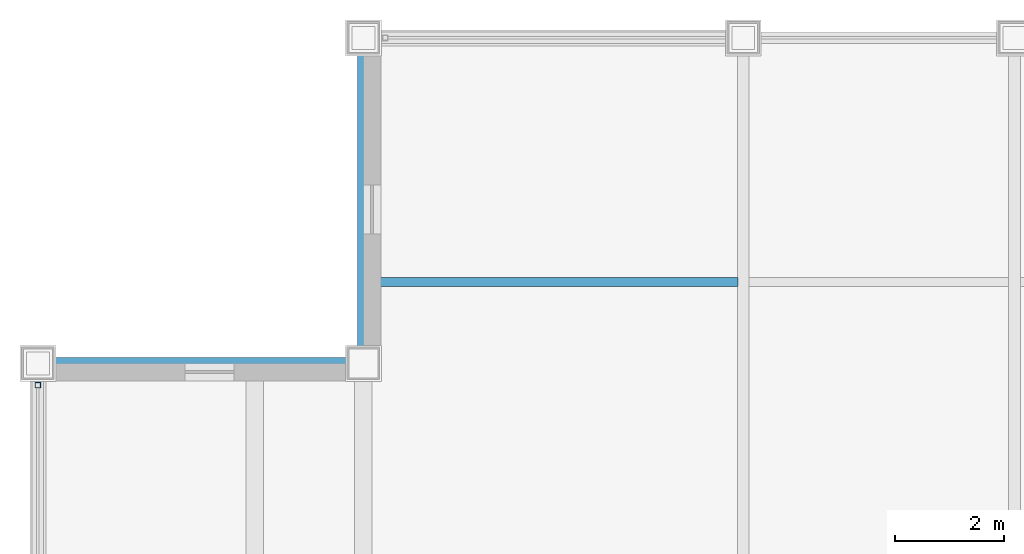
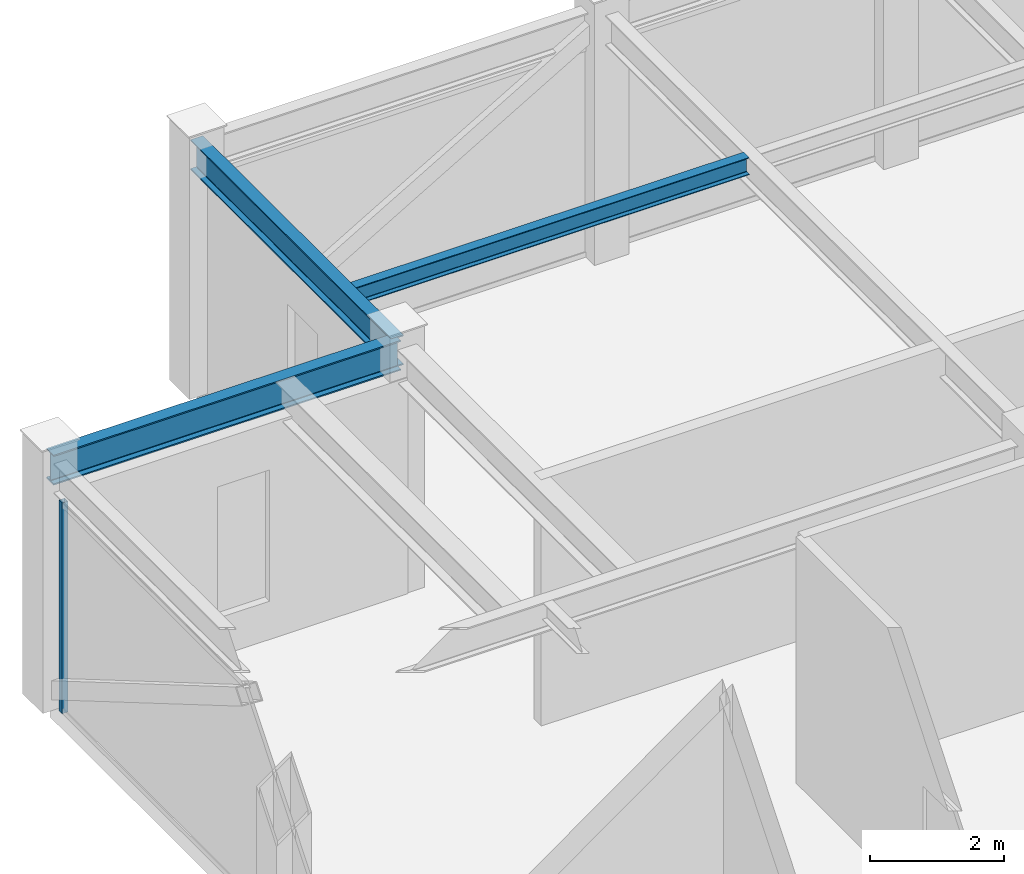
# One storey, part 14 of 27: 3 beams, 1 member, 1 element without a shape of its own.
"""IFC4 building model written with IfcOpenShell, lengths in metres."""

from ifc_helpers import new_model, si_unit, direction, frame, origin, origin_2d, place, context, subcontext, project, spatial, hollow_rectangle, i_section, extrude, source, transform, mapped, material, material_profile, profile_set, type_object, element, aggregate, save


model = new_model("IFC4")

# Units and contexts
model_context = context("Model", 3, precision=1e-05, world=origin(), true_north=direction((0.0, 1.0)))
body_context = subcontext(model_context, "Body", "Model", "MODEL_VIEW")
ifc_project = project(units=[si_unit("LENGTHUNIT", "METRE"), si_unit("AREAUNIT", "SQUARE_METRE"), si_unit("VOLUMEUNIT", "CUBIC_METRE"), si_unit("PLANEANGLEUNIT", "RADIAN"), si_unit("MASSUNIT", "GRAM", prefix="KILO")], contexts=[model_context])

# Site, building, storey
site_placement = place(None, origin())
site = spatial("IfcSite", under=ifc_project, at=site_placement, CompositionType="ELEMENT")
building_placement = place(site_placement, origin())
building = spatial("IfcBuilding", under=site, at=building_placement, Name="Khorayat Bourse Tower", CompositionType="ELEMENT")
storey_placement = place(building_placement, frame((0.0, 0.0, 399.5)))
storey = spatial("IfcBuildingStorey", under=building, at=storey_placement, Name="L94", CompositionType="ELEMENT", Elevation=399.5)

# Beams
ifc_material_1 = material(Name="Steel ASTM A992 Grade 50", Category="steel")
ifc_material_profile_1 = material_profile(ifc_material_1, i_section(OverallWidth=0.214111328125, OverallDepth=0.549072265625, WebThickness=0.0146484375, FlangeThickness=0.023681640625, FilletRadius=0.013916015625, at=origin_2d()), Name="W530X138")
ifc_profile_set_1 = profile_set([ifc_material_profile_1], Name="Steel ASTM A992 Grade 50")
beam_type_1 = type_object("IfcBeamType", Name="BM-SPAN-530", PredefinedType="SPANDREL", material=ifc_profile_set_1)
shared_shape_1 = source(origin(), body_context, "Body", "SweptSolid", [
    extrude(i_section(OverallWidth=0.214111328125, OverallDepth=0.549072265625, WebThickness=0.0146484375, FlangeThickness=0.023681640625, FilletRadius=0.013916015625, at=origin_2d()), origin(), (0.0, 0.0, 1.0), 6.0),
])
for number, where, z_axis, x_axis, name in (
    (1, (-18.0, 18.0, 4.2255859375), (0.0, 1.0, 0.0), (-1.0, 0.0, 0.0), "L94 BM-SPAN-530 BM-L94-SPN-046"),
    (2, (-24.0, 18.0, 4.2255859375), (1.0, 0.0, 0.0), (0.0, 1.0, 0.0), "L94 BM-SPAN-530 BM-L94-SPN-047"),
):
    element("IfcBeam", number, at=place(storey_placement, frame(where, z_axis=z_axis, x_axis=x_axis)), inside=storey, type_object=beam_type_1, Name=name, PredefinedType="SPANDREL", context=body_context, shape_type="MappedRepresentation", body=[
        mapped(shared_shape_1, transform((0.0, 0.0, 0.0), scale=1.0)),
    ])
ifc_material_profile_2 = material_profile(ifc_material_1, i_section(OverallWidth=0.1669921875, OverallDepth=0.31689453125, WebThickness=0.007568359375, FlangeThickness=0.01318359375, FilletRadius=0.010009765625, at=origin_2d()), Name="W310X52")
ifc_profile_set_2 = profile_set([ifc_material_profile_2], Name="Steel ASTM A992 Grade 50")
beam_type_2 = type_object("IfcBeamType", Name="BM-JOIST-310", PredefinedType="JOIST", material=ifc_profile_set_2)
shared_shape_2 = source(origin(), body_context, "Body", "SweptSolid", [
    extrude(i_section(OverallWidth=0.1669921875, OverallDepth=0.31689453125, WebThickness=0.007568359375, FlangeThickness=0.01318359375, FilletRadius=0.010009765625, at=origin_2d()), origin(), (0.0, 0.0, 1.0), 6.81005859375),
])
beam_placement = place(storey_placement, frame((-17.905029296875, 19.5, 4.341552734375), z_axis=(1.0, 0.0, 0.0), x_axis=(0.0, 1.0, 0.0)))
element("IfcBeam", 3, at=beam_placement, inside=storey, type_object=beam_type_2, Name="L94 BM-JOIST-310 BM-L94-JSTX-087", PredefinedType="JOIST", context=body_context, shape_type="MappedRepresentation", body=[
    mapped(shared_shape_2, transform((0.0, 0.0, 0.0), scale=1.0)),
])

# Curtain wall, member
ifc_material_2 = material(Name="Aluminium EN AW-6063 T6", Category="aluminium")
curtain_wall_type = type_object("IfcCurtainWallType", Name="CW-SYS-07", PredefinedType="NOTDEFINED", material=ifc_material_2)
curtain_wall_placement = place(storey_placement, origin())
curtain_wall = element("IfcCurtainWall", 4, at=curtain_wall_placement, inside=storey, type_object=curtain_wall_type, Name="L94 Curtain Wall CW-L94-W1", PredefinedType="NOTDEFINED")
ifc_material_profile_3 = material_profile(ifc_material_2, hollow_rectangle(XDim=0.10009765625, YDim=0.10009765625, WallThickness=0.0048828125, at=origin_2d()), Name="ALU 100x100x5")
ifc_profile_set_3 = profile_set([ifc_material_profile_3], Name="Aluminium EN AW-6063 T6")
member_type = type_object("IfcMemberType", Name="CWM-LANTERN-100", PredefinedType="MULLION", material=ifc_profile_set_3)
shared_shape_3 = source(origin(), body_context, "Body", "SweptSolid", [
    extrude(hollow_rectangle(XDim=0.10009765625, YDim=0.10009765625, WallThickness=0.0048828125, at=origin_2d()), origin(), (0.0, 0.0, 1.0), 3.85009765625),
])
member_placement = place(storey_placement, frame((-24.0, 17.60009765625, 0.0), z_axis=(0.0, 0.0, 1.0), x_axis=(-1.0, 0.0, 0.0)))
member = element("IfcMember", 5, at=member_placement, type_object=member_type, Name="CW-L94-W1 Vertical Mullion 3", PredefinedType="MULLION", context=body_context, shape_type="MappedRepresentation", body=[
    mapped(shared_shape_3, transform((0.0, 0.0, 0.0), scale=1.0)),
])
aggregate(curtain_wall, [member])

save(model, "model.ifc")
